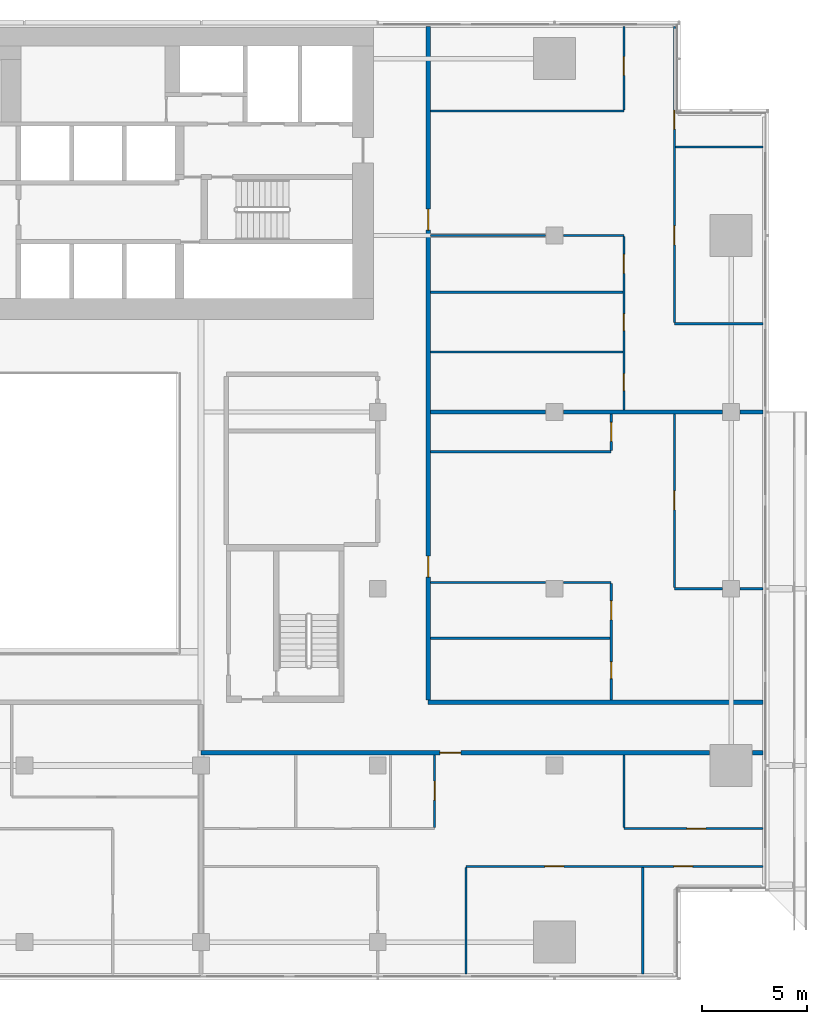
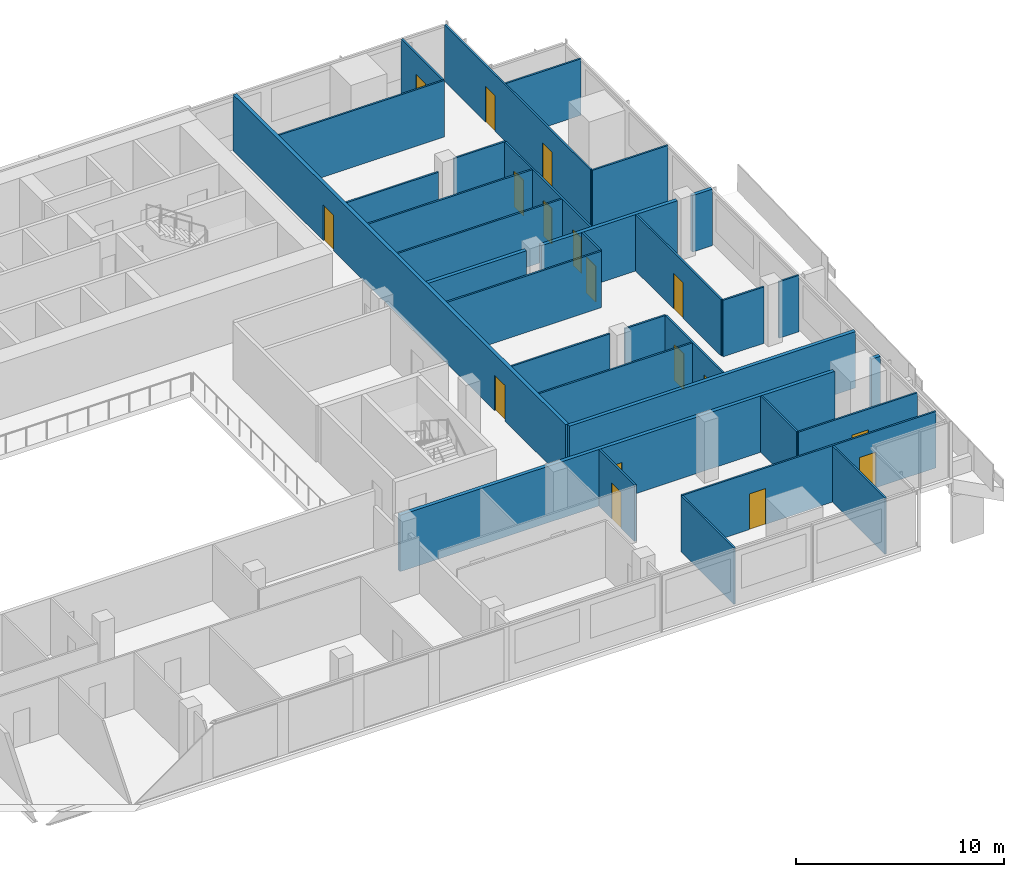
# One storey, part 21 of 25: 32 walls, 17 doors, 17 openings.
"""IFC4 building model written with IfcOpenShell, lengths in metres."""

from ifc_helpers import new_model, si_unit, direction, frame, frame_2d, origin, place, context, subcontext, project, spatial, rectangle, extrude, material, layer, layer_set, type_object, element, fill, save


model = new_model("IFC4")

# Units and contexts
model_context = context("Model", 3, precision=1e-05, world=origin(), true_north=direction((0.0, 1.0)))
body_context = subcontext(model_context, "Body", "Model", "MODEL_VIEW")
ifc_project = project(units=[si_unit("LENGTHUNIT", "METRE"), si_unit("AREAUNIT", "SQUARE_METRE"), si_unit("VOLUMEUNIT", "CUBIC_METRE"), si_unit("PLANEANGLEUNIT", "RADIAN"), si_unit("MASSUNIT", "GRAM", prefix="KILO")], contexts=[model_context])

# Site, building, storey
site_placement = place(None, origin())
site = spatial("IfcSite", under=ifc_project, at=site_placement, CompositionType="ELEMENT")
building_placement = place(site_placement, origin())
building = spatial("IfcBuilding", under=site, at=building_placement, Name="Saffron Gate Tower", CompositionType="ELEMENT")
storey_placement = place(building_placement, frame((0.0, 0.0, 131.25)))
storey = spatial("IfcBuildingStorey", under=building, at=storey_placement, Name="L31", CompositionType="ELEMENT", Elevation=131.25)

# Wall, openings, doors
ifc_material_1 = material(Name="Plasterboard on steel studs", Category="steel")
ifc_layer_1 = layer(ifc_material_1, 0.10009765625)
ifc_layer_set_1 = layer_set([ifc_layer_1], Name="PW1 Partition 100")
wall_type_1 = type_object("IfcWallType", Name="PW1 Partition 100", PredefinedType="PARTITIONING", material=ifc_layer_set_1)
wall_1_placement = place(storey_placement, frame((126.919921875, 35.39990234375, 0.0), z_axis=(0.0, 0.0, 1.0), x_axis=(-1.0, 0.0, 0.0)))
wall_1 = element("IfcWall", 1, at=wall_1_placement, inside=storey, type_object=wall_type_1, Name="Partition B4-3", PredefinedType="PARTITIONING", context=body_context, shape_type="SweptSolid", body=[
    extrude(rectangle(XDim=14.119873046875, YDim=0.10009765625, at=frame_2d((7.06005859375, 0.0))), origin(), (0.0, 0.0, 1.0), 3.320068359375),
])
opening_1_placement = place(wall_1_placement, frame((3.345703125, 0.0, 0.0)))
opening_1 = element("IfcOpeningElement", 2, at=opening_1_placement, cuts=wall_1, Name="Opening B4-20", PredefinedType="OPENING", context=body_context, shape_type="SweptSolid", body=[
    extrude(rectangle(XDim=0.89990234375, YDim=2.10009765625, at=frame_2d((0.449951171875, 1.050048828125))), frame((0.0, 0.06005859375, 0.0), z_axis=(0.0, -1.0, 0.0), x_axis=(1.0, 0.0, 0.0)), (0.0, 0.0, 1.0), 0.1201171875),
])
opening_2_placement = place(wall_1_placement, frame((9.469970703125, 0.0, 0.0)))
opening_2 = element("IfcOpeningElement", 3, at=opening_2_placement, cuts=wall_1, Name="Opening B4-19", PredefinedType="OPENING", context=body_context, shape_type="SweptSolid", body=[
    extrude(rectangle(XDim=0.89990234375, YDim=2.10009765625, at=frame_2d((0.449951171875, 1.050048828125))), frame((0.0, 0.06005859375, 0.0), z_axis=(0.0, -1.0, 0.0), x_axis=(1.0, 0.0, 0.0)), (0.0, 0.0, 1.0), 0.1201171875),
])
ifc_material_2 = material(Name="Timber door set", Category="wood")
door_type_1 = type_object("IfcDoorType", Name="RD1 Room door 900x2100", OperationType="NOTDEFINED", PredefinedType="DOOR", material=ifc_material_2)
door_1_placement = place(opening_1_placement, origin())
door_1 = element("IfcDoor", 4, at=door_1_placement, inside=storey, type_object=door_type_1, Name="Door B4-20", OperationType="SINGLE_SWING_RIGHT", OverallHeight=2.10009765625, OverallWidth=0.89990234375, PredefinedType="DOOR", context=body_context, shape_type="SweptSolid", body=[
    extrude(rectangle(XDim=0.89990234375, YDim=2.10009765625, at=frame_2d((0.449951171875, 1.050048828125))), frame((0.0, 0.02490234375, 0.0), z_axis=(0.0, -1.0, 0.0), x_axis=(1.0, 0.0, 0.0)), (0.0, 0.0, 1.0), 0.050048828125),
])
fill(opening_1, door_1)
door_2_placement = place(opening_2_placement, origin())
door_2 = element("IfcDoor", 5, at=door_2_placement, inside=storey, type_object=door_type_1, Name="Door B4-19", OperationType="SINGLE_SWING_RIGHT", OverallHeight=2.10009765625, OverallWidth=0.89990234375, PredefinedType="DOOR", context=body_context, shape_type="SweptSolid", body=[
    extrude(rectangle(XDim=0.89990234375, YDim=2.10009765625, at=frame_2d((0.449951171875, 1.050048828125))), frame((0.0, 0.02490234375, 0.0), z_axis=(0.0, -1.0, 0.0), x_axis=(1.0, 0.0, 0.0)), (0.0, 0.0, 1.0), 0.050048828125),
])
fill(opening_2, door_2)

# Wall, opening, door
wall_2_placement = place(storey_placement, frame((120.300048828125, 37.199951171875, 0.0), z_axis=(0.0, 0.0, 1.0), x_axis=(1.0, 0.0, 0.0)))
wall_2 = element("IfcWall", 6, at=wall_2_placement, inside=storey, type_object=wall_type_1, Name="Partition B4-8", PredefinedType="PARTITIONING", context=body_context, shape_type="SweptSolid", body=[
    extrude(rectangle(XDim=6.619873046875, YDim=0.10009765625, at=frame_2d((3.31005859375, 0.0))), origin(), (0.0, 0.0, 1.0), 3.320068359375),
])
opening_3_placement = place(wall_2_placement, frame((3.0, 0.0, 0.0)))
opening_3 = element("IfcOpeningElement", 7, at=opening_3_placement, cuts=wall_2, Name="Opening B4-21", PredefinedType="OPENING", context=body_context, shape_type="SweptSolid", body=[
    extrude(rectangle(XDim=0.89990234375, YDim=2.10009765625, at=frame_2d((0.449951171875, 1.050048828125))), frame((0.0, 0.06005859375, 0.0), z_axis=(0.0, -1.0, 0.0), x_axis=(1.0, 0.0, 0.0)), (0.0, 0.0, 1.0), 0.1201171875),
])
door_3_placement = place(opening_3_placement, origin())
door_3 = element("IfcDoor", 8, at=door_3_placement, inside=storey, type_object=door_type_1, Name="Door B4-21", OperationType="SINGLE_SWING_RIGHT", OverallHeight=2.10009765625, OverallWidth=0.89990234375, PredefinedType="DOOR", context=body_context, shape_type="SweptSolid", body=[
    extrude(rectangle(XDim=0.89990234375, YDim=2.10009765625, at=frame_2d((0.449951171875, 1.050048828125))), frame((0.0, 0.02490234375, 0.0), z_axis=(0.0, -1.0, 0.0), x_axis=(1.0, 0.0, 0.0)), (0.0, 0.0, 1.0), 0.050048828125),
])
fill(opening_3, door_3)

# Walls
wall_3_placement = place(storey_placement, frame((111.10009765625, 46.24609375, 0.0), z_axis=(0.0, 0.0, 1.0), x_axis=(1.0, 0.0, 0.0)))
element("IfcWall", 9, at=wall_3_placement, inside=storey, type_object=wall_type_1, Name="Partition B4-19", PredefinedType="PARTITIONING", context=body_context, shape_type="SweptSolid", body=[
    extrude(rectangle(XDim=8.5498046875, YDim=0.10009765625, at=frame_2d((4.27490234375, 0.0))), origin(), (0.0, 0.0, 1.0), 3.320068359375),
])
wall_4_placement = place(storey_placement, frame((122.699951171875, 48.60009765625, 0.0), z_axis=(0.0, 0.0, 1.0), x_axis=(1.0, 0.0, 0.0)))
element("IfcWall", 10, at=wall_4_placement, inside=storey, type_object=wall_type_1, Name="Partition B4-24", PredefinedType="PARTITIONING", context=body_context, shape_type="SweptSolid", body=[
    extrude(rectangle(XDim=2.280029296875, YDim=0.10009765625, at=frame_2d((1.14013671875, 0.0))), origin(), (0.0, 0.0, 1.0), 3.320068359375),
])
wall_5_placement = place(storey_placement, frame((125.820068359375, 48.60009765625, 0.0), z_axis=(0.0, 0.0, 1.0), x_axis=(1.0, 0.0, 0.0)))
element("IfcWall", 11, at=wall_5_placement, inside=storey, type_object=wall_type_1, Name="Partition B4-25", PredefinedType="PARTITIONING", context=body_context, shape_type="SweptSolid", body=[
    extrude(rectangle(XDim=1.099853515625, YDim=0.10009765625, at=frame_2d((0.5498046875, 0.0))), origin(), (0.0, 0.0, 1.0), 3.320068359375),
])
wall_6_placement = place(storey_placement, frame((111.10009765625, 48.89990234375, 0.0), z_axis=(0.0, 0.0, 1.0), x_axis=(1.0, 0.0, 0.0)))
element("IfcWall", 12, at=wall_6_placement, inside=storey, type_object=wall_type_1, Name="Partition B4-26", PredefinedType="PARTITIONING", context=body_context, shape_type="SweptSolid", body=[
    extrude(rectangle(XDim=5.47998046875, YDim=0.10009765625, at=frame_2d((2.739990234375, 0.0))), origin(), (0.0, 0.0, 1.0), 3.320068359375),
])
wall_7_placement = place(storey_placement, frame((117.419921875, 48.89990234375, 0.0), z_axis=(0.0, 0.0, 1.0), x_axis=(1.0, 0.0, 0.0)))
element("IfcWall", 13, at=wall_7_placement, inside=storey, type_object=wall_type_1, Name="Partition B4-27", PredefinedType="PARTITIONING", context=body_context, shape_type="SweptSolid", body=[
    extrude(rectangle(XDim=2.280029296875, YDim=0.10009765625, at=frame_2d((1.14013671875, 0.0))), origin(), (0.0, 0.0, 1.0), 3.320068359375),
])
wall_8_placement = place(storey_placement, frame((111.10009765625, 55.112548828125, 0.0), z_axis=(0.0, 0.0, 1.0), x_axis=(1.0, 0.0, 0.0)))
element("IfcWall", 14, at=wall_8_placement, inside=storey, type_object=wall_type_1, Name="Partition B4-31", PredefinedType="PARTITIONING", context=body_context, shape_type="SweptSolid", body=[
    extrude(rectangle(XDim=8.599853515625, YDim=0.10009765625, at=frame_2d((4.2998046875, 0.0))), origin(), (0.0, 0.0, 1.0), 3.320068359375),
])
wall_9_placement = place(storey_placement, frame((111.10009765625, 59.849609375, 0.0), z_axis=(0.0, 0.0, 1.0), x_axis=(1.0, 0.0, 0.0)))
element("IfcWall", 15, at=wall_9_placement, inside=storey, type_object=wall_type_1, Name="Partition B4-41", PredefinedType="PARTITIONING", context=body_context, shape_type="SweptSolid", body=[
    extrude(rectangle(XDim=9.14990234375, YDim=0.10009765625, at=frame_2d((4.574951171875, 0.0))), origin(), (0.0, 0.0, 1.0), 3.320068359375),
])
wall_10_placement = place(storey_placement, frame((122.699951171875, 61.199951171875, 0.0), z_axis=(0.0, 0.0, 1.0), x_axis=(1.0, 0.0, 0.0)))
element("IfcWall", 16, at=wall_10_placement, inside=storey, type_object=wall_type_1, Name="Partition B4-42", PredefinedType="PARTITIONING", context=body_context, shape_type="SweptSolid", body=[
    extrude(rectangle(XDim=4.219970703125, YDim=0.10009765625, at=frame_2d((2.10986328125, 0.0))), origin(), (0.0, 0.0, 1.0), 3.320068359375),
])
wall_11_placement = place(storey_placement, frame((111.10009765625, 62.698974609375, 0.0), z_axis=(0.0, 0.0, 1.0), x_axis=(1.0, 0.0, 0.0)))
element("IfcWall", 17, at=wall_11_placement, inside=storey, type_object=wall_type_1, Name="Partition B4-43", PredefinedType="PARTITIONING", context=body_context, shape_type="SweptSolid", body=[
    extrude(rectangle(XDim=9.14990234375, YDim=0.10009765625, at=frame_2d((4.574951171875, 0.0))), origin(), (0.0, 0.0, 1.0), 3.320068359375),
])
wall_12_placement = place(storey_placement, frame((111.10009765625, 65.39990234375, 0.0), z_axis=(0.0, 0.0, 1.0), x_axis=(1.0, 0.0, 0.0)))
element("IfcWall", 18, at=wall_12_placement, inside=storey, type_object=wall_type_1, Name="Partition B4-47", PredefinedType="PARTITIONING", context=body_context, shape_type="SweptSolid", body=[
    extrude(rectangle(XDim=5.47998046875, YDim=0.10009765625, at=frame_2d((2.739990234375, 0.0))), origin(), (0.0, 0.0, 1.0), 2.820068359375),
])
wall_13_placement = place(storey_placement, frame((117.419921875, 65.39990234375, 0.0), z_axis=(0.0, 0.0, 1.0), x_axis=(1.0, 0.0, 0.0)))
element("IfcWall", 19, at=wall_13_placement, inside=storey, type_object=wall_type_1, Name="Partition B4-48", PredefinedType="PARTITIONING", context=body_context, shape_type="SweptSolid", body=[
    extrude(rectangle(XDim=2.880126953125, YDim=0.10009765625, at=frame_2d((1.43994140625, 0.0))), origin(), (0.0, 0.0, 1.0), 3.320068359375),
])
wall_14_placement = place(storey_placement, frame((122.75, 69.60009765625, 0.0), z_axis=(0.0, 0.0, 1.0), x_axis=(1.0, 0.0, 0.0)))
element("IfcWall", 20, at=wall_14_placement, inside=storey, type_object=wall_type_1, Name="Partition B4-51", PredefinedType="PARTITIONING", context=body_context, shape_type="SweptSolid", body=[
    extrude(rectangle(XDim=4.169921875, YDim=0.10009765625, at=frame_2d((2.0849609375, 0.0))), origin(), (0.0, 0.0, 1.0), 3.320068359375),
])
wall_15_placement = place(storey_placement, frame((111.10009765625, 71.30859375, 0.0), z_axis=(0.0, 0.0, 1.0), x_axis=(1.0, 0.0, 0.0)))
element("IfcWall", 21, at=wall_15_placement, inside=storey, type_object=wall_type_1, Name="Partition B4-52", PredefinedType="PARTITIONING", context=body_context, shape_type="SweptSolid", body=[
    extrude(rectangle(XDim=9.199951171875, YDim=0.10009765625, at=frame_2d((4.60009765625, 0.0))), origin(), (0.0, 0.0, 1.0), 3.320068359375),
])

# Wall, opening, door
wall_16_placement = place(storey_placement, frame((111.300048828125, 37.25, 0.0), z_axis=(0.0, 0.0, 1.0), x_axis=(0.0, 1.0, 0.0)))
wall_16 = element("IfcWall", 22, at=wall_16_placement, inside=storey, type_object=wall_type_1, Name="Partition B4-93", PredefinedType="PARTITIONING", context=body_context, shape_type="SweptSolid", body=[
    extrude(rectangle(XDim=3.449951171875, YDim=0.10009765625, at=frame_2d((1.72509765625, 0.0))), origin(), (0.0, 0.0, 1.0), 3.320068359375),
])
opening_4_placement = place(wall_16_placement, frame((1.300048828125, 0.0, 0.0)))
opening_4 = element("IfcOpeningElement", 23, at=opening_4_placement, cuts=wall_16, Name="Opening B4-22", PredefinedType="OPENING", context=body_context, shape_type="SweptSolid", body=[
    extrude(rectangle(XDim=0.89990234375, YDim=2.10009765625, at=frame_2d((0.449951171875, 1.050048828125))), frame((0.0, 0.06005859375, 0.0), z_axis=(0.0, -1.0, 0.0), x_axis=(1.0, 0.0, 0.0)), (0.0, 0.0, 1.0), 0.1201171875),
])
door_4_placement = place(opening_4_placement, origin())
door_4 = element("IfcDoor", 24, at=door_4_placement, inside=storey, type_object=door_type_1, Name="Door B4-22", OperationType="SINGLE_SWING_RIGHT", OverallHeight=2.10009765625, OverallWidth=0.89990234375, PredefinedType="DOOR", context=body_context, shape_type="SweptSolid", body=[
    extrude(rectangle(XDim=0.89990234375, YDim=2.10009765625, at=frame_2d((0.449951171875, 1.050048828125))), frame((0.0, 0.02490234375, 0.0), z_axis=(0.0, -1.0, 0.0), x_axis=(1.0, 0.0, 0.0)), (0.0, 0.0, 1.0), 0.050048828125),
])
fill(opening_4, door_4)

# Wall
wall_17_placement = place(storey_placement, frame((112.800048828125, 35.35009765625, 0.0), z_axis=(0.0, 0.0, 1.0), x_axis=(0.0, -1.0, 0.0)))
element("IfcWall", 25, at=wall_17_placement, inside=storey, type_object=wall_type_1, Name="Partition B4-94", PredefinedType="PARTITIONING", context=body_context, shape_type="SweptSolid", body=[
    extrude(rectangle(XDim=5.070068359375, YDim=0.10009765625, at=frame_2d((2.53515625, 0.0))), origin(), (0.0, 0.0, 1.0), 3.320068359375),
])

# Wall, openings, doors
wall_18_placement = place(storey_placement, frame((119.699951171875, 43.300048828125, 0.0), z_axis=(0.0, 0.0, 1.0), x_axis=(0.0, 1.0, 0.0)))
wall_18 = element("IfcWall", 26, at=wall_18_placement, inside=storey, type_object=wall_type_1, Name="Partition B4-95", PredefinedType="PARTITIONING", context=body_context, shape_type="SweptSolid", body=[
    extrude(rectangle(XDim=5.550048828125, YDim=0.10009765625, at=frame_2d((2.77490234375, 0.0))), origin(), (0.0, 0.0, 1.0), 3.320068359375),
])
opening_5_placement = place(wall_18_placement, frame((1.02294921875, 0.0, 0.0)))
opening_5 = element("IfcOpeningElement", 27, at=opening_5_placement, cuts=wall_18, Name="Opening B4-45", PredefinedType="OPENING", context=body_context, shape_type="SweptSolid", body=[
    extrude(rectangle(XDim=0.800048828125, YDim=2.10009765625, at=frame_2d((0.39990234375, 1.050048828125))), frame((0.0, 0.06005859375, 0.0), z_axis=(0.0, -1.0, 0.0), x_axis=(1.0, 0.0, 0.0)), (0.0, 0.0, 1.0), 0.1201171875),
])
opening_6_placement = place(wall_18_placement, frame((3.822998046875, 0.0, 0.0)))
opening_6 = element("IfcOpeningElement", 28, at=opening_6_placement, cuts=wall_18, Name="Opening B4-30", PredefinedType="OPENING", context=body_context, shape_type="SweptSolid", body=[
    extrude(rectangle(XDim=0.89990234375, YDim=2.10009765625, at=frame_2d((0.449951171875, 1.050048828125))), frame((0.0, 0.06005859375, 0.0), z_axis=(0.0, -1.0, 0.0), x_axis=(1.0, 0.0, 0.0)), (0.0, 0.0, 1.0), 0.1201171875),
])
door_5_placement = place(opening_6_placement, origin())
door_5 = element("IfcDoor", 29, at=door_5_placement, inside=storey, type_object=door_type_1, Name="Door B4-30", OperationType="SINGLE_SWING_RIGHT", OverallHeight=2.10009765625, OverallWidth=0.89990234375, PredefinedType="DOOR", context=body_context, shape_type="SweptSolid", body=[
    extrude(rectangle(XDim=0.89990234375, YDim=2.10009765625, at=frame_2d((0.449951171875, 1.050048828125))), frame((0.0, 0.02490234375, 0.0), z_axis=(0.0, -1.0, 0.0), x_axis=(1.0, 0.0, 0.0)), (0.0, 0.0, 1.0), 0.050048828125),
])
fill(opening_6, door_5)
door_type_2 = type_object("IfcDoorType", Name="RD2 Bathroom door 800x2100", OperationType="NOTDEFINED", PredefinedType="DOOR", material=ifc_material_2)
door_6_placement = place(opening_5_placement, origin())
door_6 = element("IfcDoor", 30, at=door_6_placement, inside=storey, type_object=door_type_2, Name="Door B4-45", OperationType="SINGLE_SWING_LEFT", OverallHeight=2.10009765625, OverallWidth=0.800048828125, PredefinedType="DOOR", context=body_context, shape_type="SweptSolid", body=[
    extrude(rectangle(XDim=0.800048828125, YDim=2.10009765625, at=frame_2d((0.39990234375, 1.050048828125))), frame((0.0, 0.02490234375, 0.0), z_axis=(0.0, -1.0, 0.0), x_axis=(1.0, 0.0, 0.0)), (0.0, 0.0, 1.0), 0.050048828125),
])
fill(opening_5, door_6)

# Wall, opening, door
wall_19_placement = place(storey_placement, frame((119.699951171875, 55.16259765625, 0.0), z_axis=(0.0, 0.0, 1.0), x_axis=(0.0, 1.0, 0.0)))
wall_19 = element("IfcWall", 31, at=wall_19_placement, inside=storey, type_object=wall_type_1, Name="Partition B4-96", PredefinedType="PARTITIONING", context=body_context, shape_type="SweptSolid", body=[
    extrude(rectangle(XDim=1.7373046875, YDim=0.10009765625, at=frame_2d((0.86865234375, 0.0))), origin(), (0.0, 0.0, 1.0), 3.320068359375),
])
opening_7_placement = place(wall_19_placement, frame((0.443603515625, 0.0, 0.0)))
opening_7 = element("IfcOpeningElement", 32, at=opening_7_placement, cuts=wall_19, Name="Opening B4-29", PredefinedType="OPENING", context=body_context, shape_type="SweptSolid", body=[
    extrude(rectangle(XDim=0.89990234375, YDim=2.10009765625, at=frame_2d((0.449951171875, 1.050048828125))), frame((0.0, 0.06005859375, 0.0), z_axis=(0.0, -1.0, 0.0), x_axis=(1.0, 0.0, 0.0)), (0.0, 0.0, 1.0), 0.1201171875),
])
door_7_placement = place(opening_7_placement, origin())
door_7 = element("IfcDoor", 33, at=door_7_placement, inside=storey, type_object=door_type_1, Name="Door B4-29", OperationType="SINGLE_SWING_RIGHT", OverallHeight=2.10009765625, OverallWidth=0.89990234375, PredefinedType="DOOR", context=body_context, shape_type="SweptSolid", body=[
    extrude(rectangle(XDim=0.89990234375, YDim=2.10009765625, at=frame_2d((0.449951171875, 1.050048828125))), frame((0.0, 0.02490234375, 0.0), z_axis=(0.0, -1.0, 0.0), x_axis=(1.0, 0.0, 0.0)), (0.0, 0.0, 1.0), 0.050048828125),
])
fill(opening_7, door_7)

# Wall
wall_20_placement = place(storey_placement, frame((120.300048828125, 40.699951171875, 0.0), z_axis=(0.0, 0.0, 1.0), x_axis=(0.0, -1.0, 0.0)))
element("IfcWall", 34, at=wall_20_placement, inside=storey, type_object=wall_type_1, Name="Partition B4-97", PredefinedType="PARTITIONING", context=body_context, shape_type="SweptSolid", body=[
    extrude(rectangle(XDim=3.449951171875, YDim=0.10009765625, at=frame_2d((1.72509765625, 0.0))), origin(), (0.0, 0.0, 1.0), 3.320068359375),
])

# Wall, openings, doors
wall_21_placement = place(storey_placement, frame((120.300048828125, 57.10009765625, 0.0), z_axis=(0.0, 0.0, 1.0), x_axis=(0.0, 1.0, 0.0)))
wall_21 = element("IfcWall", 35, at=wall_21_placement, inside=storey, type_object=wall_type_1, Name="Partition B4-98", PredefinedType="PARTITIONING", context=body_context, shape_type="SweptSolid", body=[
    extrude(rectangle(XDim=8.25, YDim=0.10009765625, at=frame_2d((4.125, 0.0))), origin(), (0.0, 0.0, 1.0), 3.320068359375),
])
opening_8_placement = place(wall_21_placement, frame((0.9248046875, 0.0, 0.0)))
opening_8 = element("IfcOpeningElement", 36, at=opening_8_placement, cuts=wall_21, Name="Opening B4-46", PredefinedType="OPENING", context=body_context, shape_type="SweptSolid", body=[
    extrude(rectangle(XDim=0.800048828125, YDim=2.10009765625, at=frame_2d((0.39990234375, 1.050048828125))), frame((0.0, 0.06005859375, 0.0), z_axis=(0.0, -1.0, 0.0), x_axis=(1.0, 0.0, 0.0)), (0.0, 0.0, 1.0), 0.1201171875),
])
opening_9_placement = place(wall_21_placement, frame((3.774169921875, 0.0, 0.0)))
opening_9 = element("IfcOpeningElement", 37, at=opening_9_placement, cuts=wall_21, Name="Opening B4-47", PredefinedType="OPENING", context=body_context, shape_type="SweptSolid", body=[
    extrude(rectangle(XDim=0.800048828125, YDim=2.10009765625, at=frame_2d((0.39990234375, 1.050048828125))), frame((0.0, 0.06005859375, 0.0), z_axis=(0.0, -1.0, 0.0), x_axis=(1.0, 0.0, 0.0)), (0.0, 0.0, 1.0), 0.1201171875),
])
opening_10_placement = place(wall_21_placement, frame((6.49951171875, 0.0, 0.0)))
opening_10 = element("IfcOpeningElement", 38, at=opening_10_placement, cuts=wall_21, Name="Opening B4-34", PredefinedType="OPENING", context=body_context, shape_type="SweptSolid", body=[
    extrude(rectangle(XDim=0.89990234375, YDim=2.10009765625, at=frame_2d((0.449951171875, 1.050048828125))), frame((0.0, 0.06005859375, 0.0), z_axis=(0.0, -1.0, 0.0), x_axis=(1.0, 0.0, 0.0)), (0.0, 0.0, 1.0), 0.1201171875),
])
door_8_placement = place(opening_10_placement, origin())
door_8 = element("IfcDoor", 39, at=door_8_placement, inside=storey, type_object=door_type_1, Name="Door B4-34", OperationType="SINGLE_SWING_RIGHT", OverallHeight=2.10009765625, OverallWidth=0.89990234375, PredefinedType="DOOR", context=body_context, shape_type="SweptSolid", body=[
    extrude(rectangle(XDim=0.89990234375, YDim=2.10009765625, at=frame_2d((0.449951171875, 1.050048828125))), frame((0.0, 0.02490234375, 0.0), z_axis=(0.0, -1.0, 0.0), x_axis=(1.0, 0.0, 0.0)), (0.0, 0.0, 1.0), 0.050048828125),
])
fill(opening_10, door_8)
door_9_placement = place(opening_8_placement, origin())
door_9 = element("IfcDoor", 40, at=door_9_placement, inside=storey, type_object=door_type_2, Name="Door B4-46", OperationType="SINGLE_SWING_LEFT", OverallHeight=2.10009765625, OverallWidth=0.800048828125, PredefinedType="DOOR", context=body_context, shape_type="SweptSolid", body=[
    extrude(rectangle(XDim=0.800048828125, YDim=2.10009765625, at=frame_2d((0.39990234375, 1.050048828125))), frame((0.0, 0.02490234375, 0.0), z_axis=(0.0, -1.0, 0.0), x_axis=(1.0, 0.0, 0.0)), (0.0, 0.0, 1.0), 0.050048828125),
])
fill(opening_8, door_9)
door_10_placement = place(opening_9_placement, origin())
door_10 = element("IfcDoor", 41, at=door_10_placement, inside=storey, type_object=door_type_2, Name="Door B4-47", OperationType="SINGLE_SWING_LEFT", OverallHeight=2.10009765625, OverallWidth=0.800048828125, PredefinedType="DOOR", context=body_context, shape_type="SweptSolid", body=[
    extrude(rectangle(XDim=0.800048828125, YDim=2.10009765625, at=frame_2d((0.39990234375, 1.050048828125))), frame((0.0, 0.02490234375, 0.0), z_axis=(0.0, -1.0, 0.0), x_axis=(1.0, 0.0, 0.0)), (0.0, 0.0, 1.0), 0.050048828125),
])
fill(opening_9, door_10)

# Wall, opening, door
wall_22_placement = place(storey_placement, frame((120.300048828125, 71.358642578125, 0.0), z_axis=(0.0, 0.0, 1.0), x_axis=(0.0, 1.0, 0.0)))
wall_22 = element("IfcWall", 42, at=wall_22_placement, inside=storey, type_object=wall_type_1, Name="Partition B4-99", PredefinedType="PARTITIONING", context=body_context, shape_type="SweptSolid", body=[
    extrude(rectangle(XDim=3.96142578125, YDim=0.10009765625, at=frame_2d((1.980712890625, 0.0))), origin(), (0.0, 0.0, 1.0), 3.320068359375),
])
opening_11_placement = place(wall_22_placement, frame((1.645751953125, 0.0, 0.0)))
opening_11 = element("IfcOpeningElement", 43, at=opening_11_placement, cuts=wall_22, Name="Opening B4-33", PredefinedType="OPENING", context=body_context, shape_type="SweptSolid", body=[
    extrude(rectangle(XDim=0.89990234375, YDim=2.10009765625, at=frame_2d((0.449951171875, 1.050048828125))), frame((0.0, 0.06005859375, 0.0), z_axis=(0.0, -1.0, 0.0), x_axis=(1.0, 0.0, 0.0)), (0.0, 0.0, 1.0), 0.1201171875),
])
door_11_placement = place(opening_11_placement, origin())
door_11 = element("IfcDoor", 44, at=door_11_placement, inside=storey, type_object=door_type_1, Name="Door B4-33", OperationType="SINGLE_SWING_RIGHT", OverallHeight=2.10009765625, OverallWidth=0.89990234375, PredefinedType="DOOR", context=body_context, shape_type="SweptSolid", body=[
    extrude(rectangle(XDim=0.89990234375, YDim=2.10009765625, at=frame_2d((0.449951171875, 1.050048828125))), frame((0.0, 0.02490234375, 0.0), z_axis=(0.0, -1.0, 0.0), x_axis=(1.0, 0.0, 0.0)), (0.0, 0.0, 1.0), 0.050048828125),
])
fill(opening_11, door_11)

# Wall
wall_23_placement = place(storey_placement, frame((121.199951171875, 35.35009765625, 0.0), z_axis=(0.0, 0.0, 1.0), x_axis=(0.0, -1.0, 0.0)))
element("IfcWall", 45, at=wall_23_placement, inside=storey, type_object=wall_type_1, Name="Partition B4-100", PredefinedType="PARTITIONING", context=body_context, shape_type="SweptSolid", body=[
    extrude(rectangle(XDim=5.070068359375, YDim=0.10009765625, at=frame_2d((2.53515625, 0.0))), origin(), (0.0, 0.0, 1.0), 3.320068359375),
])

# Wall, opening, door
wall_24_placement = place(storey_placement, frame((122.699951171875, 56.89990234375, 0.0), z_axis=(0.0, 0.0, 1.0), x_axis=(0.0, -1.0, 0.0)))
wall_24 = element("IfcWall", 46, at=wall_24_placement, inside=storey, type_object=wall_type_1, Name="Partition B4-101", PredefinedType="PARTITIONING", context=body_context, shape_type="SweptSolid", body=[
    extrude(rectangle(XDim=8.25, YDim=0.10009765625, at=frame_2d((4.125, 0.0))), origin(), (0.0, 0.0, 1.0), 3.320068359375),
])
opening_12_placement = place(wall_24_placement, frame((3.64990234375, 0.0, 0.0)))
opening_12 = element("IfcOpeningElement", 47, at=opening_12_placement, cuts=wall_24, Name="Opening B4-28", PredefinedType="OPENING", context=body_context, shape_type="SweptSolid", body=[
    extrude(rectangle(XDim=0.89990234375, YDim=2.10009765625, at=frame_2d((0.449951171875, 1.050048828125))), frame((0.0, 0.06005859375, 0.0), z_axis=(0.0, -1.0, 0.0), x_axis=(1.0, 0.0, 0.0)), (0.0, 0.0, 1.0), 0.1201171875),
])
door_12_placement = place(opening_12_placement, origin())
door_12 = element("IfcDoor", 48, at=door_12_placement, inside=storey, type_object=door_type_1, Name="Door B4-28", OperationType="SINGLE_SWING_LEFT", OverallHeight=2.10009765625, OverallWidth=0.89990234375, PredefinedType="DOOR", context=body_context, shape_type="SweptSolid", body=[
    extrude(rectangle(XDim=0.89990234375, YDim=2.10009765625, at=frame_2d((0.449951171875, 1.050048828125))), frame((0.0, 0.02490234375, 0.0), z_axis=(0.0, -1.0, 0.0), x_axis=(1.0, 0.0, 0.0)), (0.0, 0.0, 1.0), 0.050048828125),
])
fill(opening_12, door_12)

# Wall, openings, doors
wall_25_placement = place(storey_placement, frame((122.699951171875, 75.320068359375, 0.0), z_axis=(0.0, 0.0, 1.0), x_axis=(0.0, -1.0, 0.0)))
wall_25 = element("IfcWall", 49, at=wall_25_placement, inside=storey, type_object=wall_type_1, Name="Partition B4-102", PredefinedType="PARTITIONING", context=body_context, shape_type="SweptSolid", body=[
    extrude(rectangle(XDim=14.070068359375, YDim=0.10009765625, at=frame_2d((7.03515625, 0.0))), origin(), (0.0, 0.0, 1.0), 3.320068359375),
])
opening_13_placement = place(wall_25_placement, frame((3.96630859375, 0.0, 0.0)))
opening_13 = element("IfcOpeningElement", 50, at=opening_13_placement, cuts=wall_25, Name="Opening B4-32", PredefinedType="OPENING", context=body_context, shape_type="SweptSolid", body=[
    extrude(rectangle(XDim=0.89990234375, YDim=2.10009765625, at=frame_2d((0.449951171875, 1.050048828125))), frame((0.0, 0.06005859375, 0.0), z_axis=(0.0, -1.0, 0.0), x_axis=(1.0, 0.0, 0.0)), (0.0, 0.0, 1.0), 0.1201171875),
])
opening_14_placement = place(wall_25_placement, frame((9.469970703125, 0.0, 0.0)))
opening_14 = element("IfcOpeningElement", 51, at=opening_14_placement, cuts=wall_25, Name="Opening B4-31", PredefinedType="OPENING", context=body_context, shape_type="SweptSolid", body=[
    extrude(rectangle(XDim=0.89990234375, YDim=2.10009765625, at=frame_2d((0.449951171875, 1.050048828125))), frame((0.0, 0.06005859375, 0.0), z_axis=(0.0, -1.0, 0.0), x_axis=(1.0, 0.0, 0.0)), (0.0, 0.0, 1.0), 0.1201171875),
])
door_13_placement = place(opening_13_placement, origin())
door_13 = element("IfcDoor", 52, at=door_13_placement, inside=storey, type_object=door_type_1, Name="Door B4-32", OperationType="SINGLE_SWING_RIGHT", OverallHeight=2.10009765625, OverallWidth=0.89990234375, PredefinedType="DOOR", context=body_context, shape_type="SweptSolid", body=[
    extrude(rectangle(XDim=0.89990234375, YDim=2.10009765625, at=frame_2d((0.449951171875, 1.050048828125))), frame((0.0, 0.02490234375, 0.0), z_axis=(0.0, -1.0, 0.0), x_axis=(1.0, 0.0, 0.0)), (0.0, 0.0, 1.0), 0.050048828125),
])
fill(opening_13, door_13)
door_14_placement = place(opening_14_placement, origin())
door_14 = element("IfcDoor", 53, at=door_14_placement, inside=storey, type_object=door_type_1, Name="Door B4-31", OperationType="SINGLE_SWING_RIGHT", OverallHeight=2.10009765625, OverallWidth=0.89990234375, PredefinedType="DOOR", context=body_context, shape_type="SweptSolid", body=[
    extrude(rectangle(XDim=0.89990234375, YDim=2.10009765625, at=frame_2d((0.449951171875, 1.050048828125))), frame((0.0, 0.02490234375, 0.0), z_axis=(0.0, -1.0, 0.0), x_axis=(1.0, 0.0, 0.0)), (0.0, 0.0, 1.0), 0.050048828125),
])
fill(opening_14, door_14)

# Walls
ifc_material_3 = material(Name="Clay brick masonry, rendered", Category="masonry")
ifc_layer_2 = layer(ifc_material_3, 0.199951171875)
ifc_layer_set_2 = layer_set([ifc_layer_2], Name="PW2 Demising wall 200")
wall_type_2 = type_object("IfcWallType", Name="PW2 Demising wall 200", PredefinedType="PARTITIONING", material=ifc_layer_set_2)
wall_26_placement = place(storey_placement, frame((111.10009765625, 57.0, 0.0), z_axis=(0.0, 0.0, 1.0), x_axis=(1.0, 0.0, 0.0)))
element("IfcWall", 54, at=wall_26_placement, inside=storey, type_object=wall_type_2, Name="Wall B4-33", PredefinedType="PARTITIONING", context=body_context, shape_type="SweptSolid", body=[
    extrude(rectangle(XDim=5.47998046875, YDim=0.199951171875, at=frame_2d((2.739990234375, 0.0))), origin(), (0.0, 0.0, 1.0), 3.320068359375),
])
wall_27_placement = place(storey_placement, frame((117.419921875, 57.0, 0.0), z_axis=(0.0, 0.0, 1.0), x_axis=(1.0, 0.0, 0.0)))
element("IfcWall", 55, at=wall_27_placement, inside=storey, type_object=wall_type_2, Name="Wall B4-34", PredefinedType="PARTITIONING", context=body_context, shape_type="SweptSolid", body=[
    extrude(rectangle(XDim=7.56005859375, YDim=0.199951171875, at=frame_2d((3.780029296875, 0.0))), origin(), (0.0, 0.0, 1.0), 3.320068359375),
])
wall_28_placement = place(storey_placement, frame((125.820068359375, 57.0, 0.0), z_axis=(0.0, 0.0, 1.0), x_axis=(1.0, 0.0, 0.0)))
element("IfcWall", 56, at=wall_28_placement, inside=storey, type_object=wall_type_2, Name="Wall B4-35", PredefinedType="PARTITIONING", context=body_context, shape_type="SweptSolid", body=[
    extrude(rectangle(XDim=1.099853515625, YDim=0.199951171875, at=frame_2d((0.5498046875, 0.0))), origin(), (0.0, 0.0, 1.0), 3.320068359375),
])

# Wall, opening, door
ifc_layer_3 = layer(ifc_material_3, 0.199951171875)
ifc_layer_set_3 = layer_set([ifc_layer_3], Name="PW3 Corridor wall 200")
wall_type_3 = type_object("IfcWallType", Name="PW3 Corridor wall 200", PredefinedType="PARTITIONING", material=ifc_layer_set_3)
wall_29_placement = place(storey_placement, frame((124.3798828125, 40.800048828125, 0.0), z_axis=(0.0, 0.0, 1.0), x_axis=(-1.0, 0.0, 0.0)))
wall_29 = element("IfcWall", 57, at=wall_29_placement, inside=storey, type_object=wall_type_3, Name="Wall B4-13", PredefinedType="PARTITIONING", context=body_context, shape_type="SweptSolid", body=[
    extrude(rectangle(XDim=24.179931640625, YDim=0.199951171875, at=frame_2d((12.08984375, 0.0))), origin(), (0.0, 0.0, 1.0), 3.320068359375),
])
opening_15_placement = place(wall_29_placement, frame((11.830078125, 0.0, 0.0)))
opening_15 = element("IfcOpeningElement", 58, at=opening_15_placement, cuts=wall_29, Name="Opening B4-3", PredefinedType="OPENING", context=body_context, shape_type="SweptSolid", body=[
    extrude(rectangle(XDim=1.0, YDim=2.10009765625, at=frame_2d((0.5, 1.050048828125))), frame((0.0, 0.10986328125, 0.0), z_axis=(0.0, -1.0, 0.0), x_axis=(1.0, 0.0, 0.0)), (0.0, 0.0, 1.0), 0.219970703125),
])
ifc_material_4 = material(Name="Timber fire door set", Category="wood")
door_type_3 = type_object("IfcDoorType", Name="FD1 Flat entry door 1000x2100", OperationType="NOTDEFINED", PredefinedType="DOOR", material=ifc_material_4)
door_15_placement = place(opening_15_placement, origin())
door_15 = element("IfcDoor", 59, at=door_15_placement, inside=storey, type_object=door_type_3, Name="Door B4-3", OperationType="SINGLE_SWING_RIGHT", OverallHeight=2.10009765625, OverallWidth=1.0, PredefinedType="DOOR", context=body_context, shape_type="SweptSolid", body=[
    extrude(rectangle(XDim=1.0, YDim=2.10009765625, at=frame_2d((0.5, 1.050048828125))), frame((0.0, 0.02490234375, 0.0), z_axis=(0.0, -1.0, 0.0), x_axis=(1.0, 0.0, 0.0)), (0.0, 0.0, 1.0), 0.050048828125),
])
fill(opening_15, door_15)

# Walls
wall_30_placement = place(storey_placement, frame((126.419921875, 40.800048828125, 0.0), z_axis=(0.0, 0.0, 1.0), x_axis=(1.0, 0.0, 0.0)))
element("IfcWall", 60, at=wall_30_placement, inside=storey, type_object=wall_type_3, Name="Wall B4-14", PredefinedType="PARTITIONING", context=body_context, shape_type="SweptSolid", body=[
    extrude(rectangle(XDim=0.5, YDim=0.199951171875, at=frame_2d((0.25, 0.0))), origin(), (0.0, 0.0, 1.0), 3.320068359375),
])
wall_31_placement = place(storey_placement, frame((111.0, 43.199951171875, 0.0), z_axis=(0.0, 0.0, 1.0), x_axis=(1.0, 0.0, 0.0)))
element("IfcWall", 61, at=wall_31_placement, inside=storey, type_object=wall_type_3, Name="Wall B4-17", PredefinedType="PARTITIONING", context=body_context, shape_type="SweptSolid", body=[
    extrude(rectangle(XDim=15.919921875, YDim=0.199951171875, at=frame_2d((7.9599609375, 0.0))), origin(), (0.0, 0.0, 1.0), 3.320068359375),
])

# Wall, openings, doors
wall_32_placement = place(storey_placement, frame((111.0, 75.320068359375, 0.0), z_axis=(0.0, 0.0, 1.0), x_axis=(0.0, -1.0, 0.0)))
wall_32 = element("IfcWall", 62, at=wall_32_placement, inside=storey, type_object=wall_type_3, Name="Wall B4-92", PredefinedType="PARTITIONING", context=body_context, shape_type="SweptSolid", body=[
    extrude(rectangle(XDim=32.02001953125, YDim=0.199951171875, at=frame_2d((16.010009765625, 0.0))), origin(), (0.0, 0.0, 1.0), 3.320068359375),
])
opening_16_placement = place(wall_32_placement, frame((8.669921875, 0.0, 0.0)))
opening_16 = element("IfcOpeningElement", 63, at=opening_16_placement, cuts=wall_32, Name="Opening B4-7", PredefinedType="OPENING", context=body_context, shape_type="SweptSolid", body=[
    extrude(rectangle(XDim=1.0, YDim=2.10009765625, at=frame_2d((0.5, 1.050048828125))), frame((0.0, 0.10986328125, 0.0), z_axis=(0.0, -1.0, 0.0), x_axis=(1.0, 0.0, 0.0)), (0.0, 0.0, 1.0), 0.219970703125),
])
opening_17_placement = place(wall_32_placement, frame((25.169921875, 0.0, 0.0)))
opening_17 = element("IfcOpeningElement", 64, at=opening_17_placement, cuts=wall_32, Name="Opening B4-6", PredefinedType="OPENING", context=body_context, shape_type="SweptSolid", body=[
    extrude(rectangle(XDim=1.0, YDim=2.10009765625, at=frame_2d((0.5, 1.050048828125))), frame((0.0, 0.10986328125, 0.0), z_axis=(0.0, -1.0, 0.0), x_axis=(1.0, 0.0, 0.0)), (0.0, 0.0, 1.0), 0.219970703125),
])
door_16_placement = place(opening_16_placement, origin())
door_16 = element("IfcDoor", 65, at=door_16_placement, inside=storey, type_object=door_type_3, Name="Door B4-7", OperationType="SINGLE_SWING_RIGHT", OverallHeight=2.10009765625, OverallWidth=1.0, PredefinedType="DOOR", context=body_context, shape_type="SweptSolid", body=[
    extrude(rectangle(XDim=1.0, YDim=2.10009765625, at=frame_2d((0.5, 1.050048828125))), frame((0.0, 0.02490234375, 0.0), z_axis=(0.0, -1.0, 0.0), x_axis=(1.0, 0.0, 0.0)), (0.0, 0.0, 1.0), 0.050048828125),
])
fill(opening_16, door_16)
door_17_placement = place(opening_17_placement, origin())
door_17 = element("IfcDoor", 66, at=door_17_placement, inside=storey, type_object=door_type_3, Name="Door B4-6", OperationType="SINGLE_SWING_LEFT", OverallHeight=2.10009765625, OverallWidth=1.0, PredefinedType="DOOR", context=body_context, shape_type="SweptSolid", body=[
    extrude(rectangle(XDim=1.0, YDim=2.10009765625, at=frame_2d((0.5, 1.050048828125))), frame((0.0, 0.02490234375, 0.0), z_axis=(0.0, -1.0, 0.0), x_axis=(1.0, 0.0, 0.0)), (0.0, 0.0, 1.0), 0.050048828125),
])
fill(opening_17, door_17)

save(model, "model.ifc")
